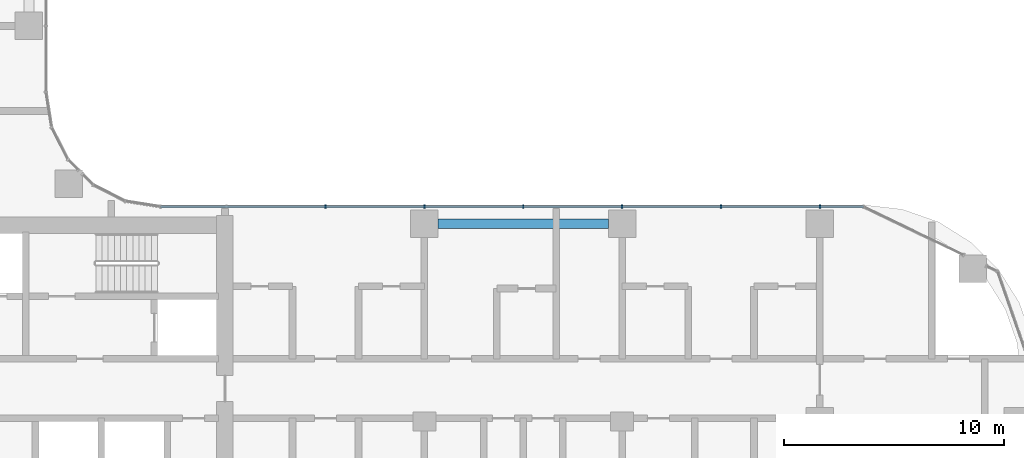
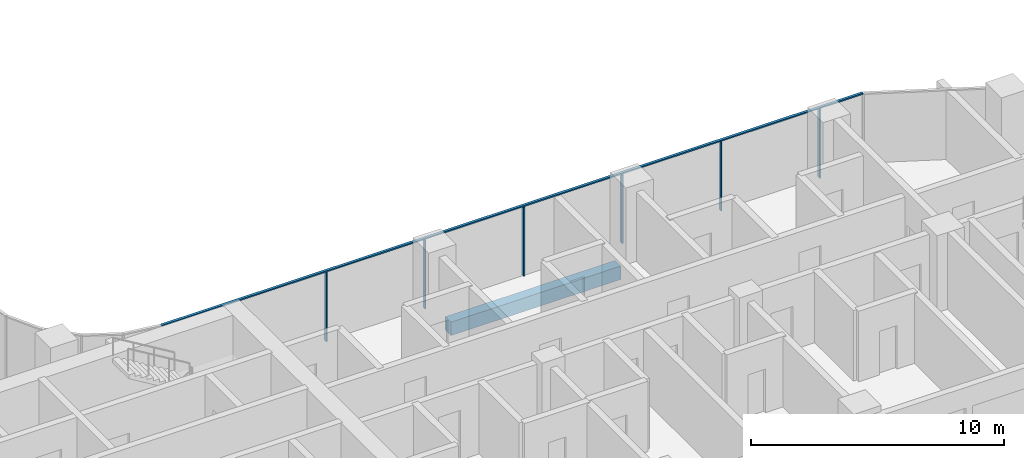
# One storey, part 4 of 35: 7 members, 1 beam, 1 element without a shape of its own.
"""IFC4 building model written with IfcOpenShell, lengths in metres."""

from ifc_helpers import new_model, si_unit, direction, frame, origin, origin_2d, place, context, subcontext, project, spatial, rectangle, extrude, material, material_profile, profile_set, type_object, element, aggregate, save


model = new_model("IFC4")

# Units and contexts
model_context = context("Model", 3, precision=1e-05, world=origin(), true_north=direction((0.0, 1.0)))
body_context = subcontext(model_context, "Body", "Model", "MODEL_VIEW")
ifc_project = project(units=[si_unit("LENGTHUNIT", "METRE"), si_unit("AREAUNIT", "SQUARE_METRE"), si_unit("VOLUMEUNIT", "CUBIC_METRE"), si_unit("PLANEANGLEUNIT", "RADIAN"), si_unit("MASSUNIT", "GRAM", prefix="KILO")], contexts=[model_context])

# Site, building, storey
site_placement = place(None, origin())
site = spatial("IfcSite", under=ifc_project, at=site_placement, CompositionType="ELEMENT")
building_placement = place(site_placement, origin())
building = spatial("IfcBuilding", under=site, at=building_placement, Name="Ogive Portal Towers", CompositionType="ELEMENT")
storey_placement = place(building_placement, frame((0.0, 0.0, 94.5)))
storey = spatial("IfcBuildingStorey", under=building, at=storey_placement, Name="L22", CompositionType="ELEMENT", Elevation=94.5)

# Curtain wall, members
ifc_material_1 = material(Name="Glass, clear low-iron insulated glazing", Category="glass")
curtain_wall_type = type_object("IfcCurtainWallType", Name="CW FRONT RIBBON 4500", PredefinedType="NOTDEFINED", material=ifc_material_1)
curtain_wall_placement = place(storey_placement, origin())
curtain_wall = element("IfcCurtainWall", 1, at=curtain_wall_placement, inside=storey, type_object=curtain_wall_type, Name="A:L22:f11:cw0", PredefinedType="NOTDEFINED")
ifc_material_2 = material(Name="Aluminium 6063 anodised", Category="aluminium")
ifc_material_profile_1 = material_profile(ifc_material_2, rectangle(XDim=0.159912109375, YDim=0.06005859375, at=origin_2d()), Name="AL 60x160")
ifc_profile_set_1 = profile_set([ifc_material_profile_1], Name="Aluminium 6063 anodised")
member_type_1 = type_object("IfcMemberType", Name="CW MULLION 60x160", PredefinedType="MULLION", material=ifc_profile_set_1)
member_1_placement = place(storey_placement, frame((85.5, 40.27490234375, 0.0), z_axis=(0.0, 0.0, 1.0), x_axis=(0.0, -1.0, 0.0)))
member_1 = element("IfcMember", 2, at=member_1_placement, type_object=member_type_1, Name="mullion", PredefinedType="MULLION", context=body_context, shape_type="SweptSolid", body=[
    extrude(rectangle(XDim=0.159912109375, YDim=0.06005859375, at=origin_2d()), origin(), (0.0, 0.0, 1.0), 3.340087890625),
])
member_2_placement = place(storey_placement, frame((81.0, 40.27490234375, 0.0), z_axis=(0.0, 0.0, 1.0), x_axis=(0.0, -1.0, 0.0)))
member_2 = element("IfcMember", 3, at=member_2_placement, type_object=member_type_1, Name="mullion", PredefinedType="MULLION", context=body_context, shape_type="SweptSolid", body=[
    extrude(rectangle(XDim=0.159912109375, YDim=0.06005859375, at=origin_2d()), origin(), (0.0, 0.0, 1.0), 3.340087890625),
])
member_3_placement = place(storey_placement, frame((76.5, 40.27490234375, 0.0), z_axis=(0.0, 0.0, 1.0), x_axis=(0.0, -1.0, 0.0)))
member_3 = element("IfcMember", 4, at=member_3_placement, type_object=member_type_1, Name="mullion", PredefinedType="MULLION", context=body_context, shape_type="SweptSolid", body=[
    extrude(rectangle(XDim=0.159912109375, YDim=0.06005859375, at=origin_2d()), origin(), (0.0, 0.0, 1.0), 3.340087890625),
])
member_4_placement = place(storey_placement, frame((72.0, 40.27490234375, 0.0), z_axis=(0.0, 0.0, 1.0), x_axis=(0.0, -1.0, 0.0)))
member_4 = element("IfcMember", 5, at=member_4_placement, type_object=member_type_1, Name="mullion", PredefinedType="MULLION", context=body_context, shape_type="SweptSolid", body=[
    extrude(rectangle(XDim=0.159912109375, YDim=0.06005859375, at=origin_2d()), origin(), (0.0, 0.0, 1.0), 3.340087890625),
])
member_5_placement = place(storey_placement, frame((67.5, 40.27490234375, 0.0), z_axis=(0.0, 0.0, 1.0), x_axis=(0.0, -1.0, 0.0)))
member_5 = element("IfcMember", 6, at=member_5_placement, type_object=member_type_1, Name="mullion", PredefinedType="MULLION", context=body_context, shape_type="SweptSolid", body=[
    extrude(rectangle(XDim=0.159912109375, YDim=0.06005859375, at=origin_2d()), origin(), (0.0, 0.0, 1.0), 3.340087890625),
])
member_6_placement = place(storey_placement, frame((63.0, 40.27490234375, 0.0), z_axis=(0.0, 0.0, 1.0), x_axis=(0.0, -1.0, 0.0)))
member_6 = element("IfcMember", 7, at=member_6_placement, type_object=member_type_1, Name="mullion", PredefinedType="MULLION", context=body_context, shape_type="SweptSolid", body=[
    extrude(rectangle(XDim=0.159912109375, YDim=0.06005859375, at=origin_2d()), origin(), (0.0, 0.0, 1.0), 3.340087890625),
])
ifc_material_profile_2 = material_profile(ifc_material_2, rectangle(XDim=0.1201171875, YDim=0.06005859375, at=origin_2d()), Name="AL 120x60")
ifc_profile_set_2 = profile_set([ifc_material_profile_2], Name="Aluminium 6063 anodised")
member_type_2 = type_object("IfcMemberType", Name="CW TRANSOM 60x120", PredefinedType="USERDEFINED", material=ifc_profile_set_2)
member_7_placement = place(storey_placement, frame((87.481689453125, 40.27490234375, 3.3701171875), z_axis=(-1.0, 0.0, 0.0), x_axis=(0.0, -1.0, 0.0)))
member_7 = element("IfcMember", 8, at=member_7_placement, type_object=member_type_2, Name="transom", ObjectType="TRANSOM", PredefinedType="USERDEFINED", context=body_context, shape_type="SweptSolid", body=[
    extrude(rectangle(XDim=0.1201171875, YDim=0.06005859375, at=origin_2d()), origin(), (0.0, 0.0, 1.0), 31.988037109375),
])
aggregate(curtain_wall, [member_7, member_1, member_2, member_3, member_4, member_5, member_6])

# Beam
ifc_material_3 = material(Name="Concrete C50/60", Category="concrete")
ifc_material_profile_3 = material_profile(ifc_material_3, rectangle(XDim=0.449951171875, YDim=0.64990234375, at=origin_2d()), Name="RC 450x650")
ifc_profile_set_3 = profile_set([ifc_material_profile_3], Name="Concrete C50/60")
beam_type = type_object("IfcBeamType", Name="SPANDREL BEAM RC 450x650", PredefinedType="BEAM", material=ifc_profile_set_3)
beam_placement = place(storey_placement, frame((68.125, 39.5, -0.625), z_axis=(1.0, 0.0, 0.0), x_axis=(0.0, 1.0, 0.0)))
element("IfcBeam", 9, at=beam_placement, inside=storey, type_object=beam_type, Name="Spandrel beam L22", PredefinedType="BEAM", context=body_context, shape_type="SweptSolid", body=[
    extrude(rectangle(XDim=0.449951171875, YDim=0.64990234375, at=origin_2d()), origin(), (0.0, 0.0, 1.0), 7.75),
])

save(model, "model.ifc")
